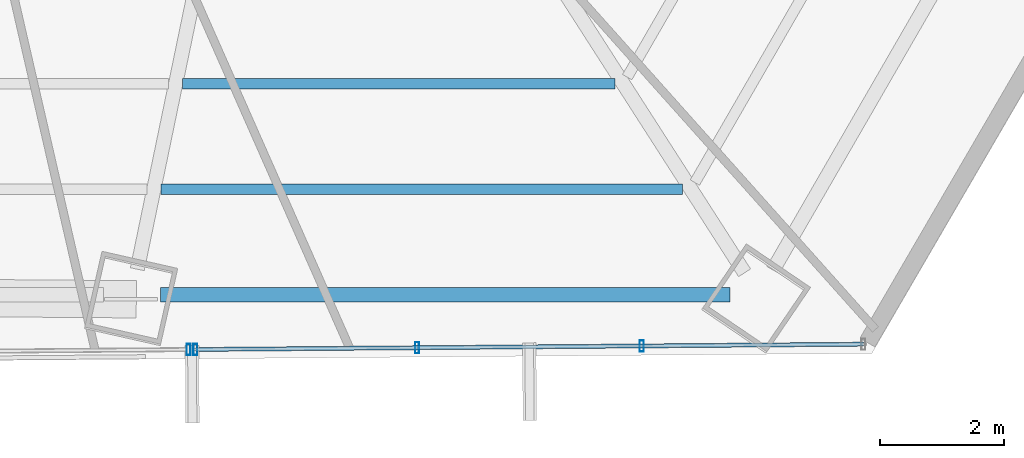
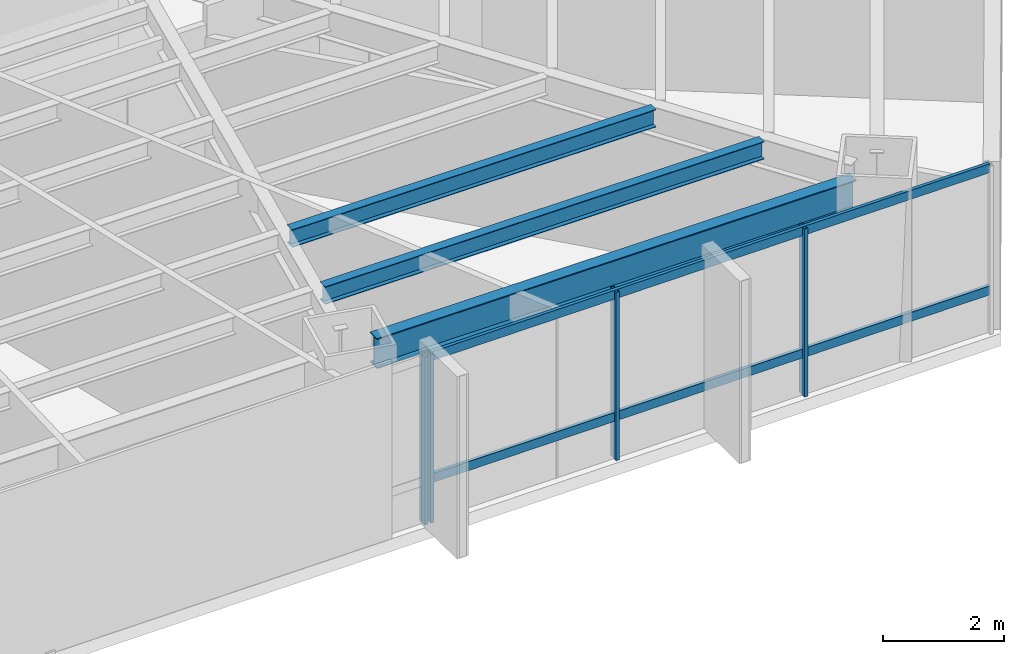
# One storey, part 16 of 36: 6 members, 3 beams, 2 elements without a shape of their own.
"""IFC4 building model written with IfcOpenShell, lengths in metres."""

from ifc_helpers import new_model, si_unit, direction, frame, origin, origin_2d, place, context, subcontext, project, spatial, hollow_rectangle, i_section, extrude, source, transform, mapped, material, material_profile, profile_set, type_object, type_shapes, element, aggregate, save


model = new_model("IFC4")

# Units and contexts
model_context = context("Model", 3, precision=1e-05, world=origin(), true_north=direction((0.0, 1.0)))
body_context = subcontext(model_context, "Body", "Model", "MODEL_VIEW")
ifc_project = project(units=[si_unit("LENGTHUNIT", "METRE"), si_unit("AREAUNIT", "SQUARE_METRE"), si_unit("VOLUMEUNIT", "CUBIC_METRE"), si_unit("PLANEANGLEUNIT", "RADIAN"), si_unit("MASSUNIT", "GRAM", prefix="KILO")], contexts=[model_context])

# Site, building, storey
site_placement = place(None, origin())
site = spatial("IfcSite", under=ifc_project, at=site_placement, CompositionType="ELEMENT")
building_placement = place(site_placement, origin())
building = spatial("IfcBuilding", under=site, at=building_placement, Name="Caelisora Broadcast Tower", CompositionType="ELEMENT")
storey_placement = place(building_placement, frame((0.0, 0.0, 60.449951171875)))
storey = spatial("IfcBuildingStorey", under=building, at=storey_placement, Name="L15", CompositionType="ELEMENT", Elevation=60.449951171875)

# Beams
ifc_material_1 = material(Name="Steel Grade 350 (AS/NZS 3679.1)", Category="steel")
ifc_material_profile_1 = material_profile(ifc_material_1, i_section(OverallWidth=0.22900390625, OverallDepth=0.611572265625, WebThickness=0.011962890625, FlangeThickness=0.01953125, at=origin_2d()), Name="Steel Grade 350 (AS/NZS 3679.1)")
ifc_profile_set_1 = profile_set([ifc_material_profile_1], Name="Steel Grade 350 (AS/NZS 3679.1)")
beam_type_1 = type_object("IfcBeamType", Name="PG03", PredefinedType="BEAM", material=ifc_profile_set_1)
shared_shape_1 = source(origin(), body_context, "Body", "SweptSolid", [
    extrude(i_section(OverallWidth=0.22900390625, OverallDepth=0.611572265625, WebThickness=0.011962890625, FlangeThickness=0.01953125, at=origin_2d()), origin(), (0.0, 0.0, 1.0), 9.16259765625),
])
type_shapes(beam_type_1, [shared_shape_1])
beam_1_placement = place(storey_placement, frame((43.501220703125, 5.52294921875, 3.09423828125), z_axis=(1.0, 0.0, 0.0), x_axis=(0.0, 1.0, 0.0)))
element("IfcBeam", 1, at=beam_1_placement, inside=storey, type_object=beam_type_1, Name="L15 beam PG03", PredefinedType="BEAM", context=body_context, shape_type="MappedRepresentation", body=[
    mapped(shared_shape_1, transform((0.0, 0.0, 0.0), scale=1.0)),
])
ifc_material_profile_2 = material_profile(ifc_material_1, i_section(OverallWidth=0.172119140625, OverallDepth=0.358642578125, WebThickness=0.008056640625, FlangeThickness=0.012939453125, at=origin_2d()), Name="Steel Grade 350 (AS/NZS 3679.1)")
ifc_profile_set_2 = profile_set([ifc_material_profile_2], Name="Steel Grade 350 (AS/NZS 3679.1)")
beam_type_2 = type_object("IfcBeamType", Name="SB02", PredefinedType="JOIST", material=ifc_profile_set_2)
shared_shape_2 = source(origin(), body_context, "Body", "SweptSolid", [
    extrude(i_section(OverallWidth=0.172119140625, OverallDepth=0.358642578125, WebThickness=0.008056640625, FlangeThickness=0.012939453125, at=origin_2d()), origin(), (0.0, 0.0, 1.0), 6.955810546875),
])
beam_2_placement = place(storey_placement, frame((43.857177734375, 8.91650390625, 3.220703125), z_axis=(1.0, 0.0, 0.0), x_axis=(0.0, 1.0, 0.0)))
element("IfcBeam", 2, at=beam_2_placement, inside=storey, type_object=beam_type_2, Name="L15 beam SB02", PredefinedType="JOIST", context=body_context, shape_type="MappedRepresentation", body=[
    mapped(shared_shape_2, transform((0.0, 0.0, 0.0), scale=1.0)),
])
shared_shape_3 = source(origin(), body_context, "Body", "SweptSolid", [
    extrude(i_section(OverallWidth=0.172119140625, OverallDepth=0.358642578125, WebThickness=0.008056640625, FlangeThickness=0.012939453125, at=origin_2d()), origin(), (0.0, 0.0, 1.0), 8.396484375),
])
type_shapes(beam_type_2, [shared_shape_2, shared_shape_3])
beam_3_placement = place(storey_placement, frame((43.505859375, 7.2197265625, 3.220703125), z_axis=(1.0, 0.0, 0.0), x_axis=(0.0, 1.0, 0.0)))
element("IfcBeam", 3, at=beam_3_placement, inside=storey, type_object=beam_type_2, Name="L15 beam SB02", PredefinedType="JOIST", context=body_context, shape_type="MappedRepresentation", body=[
    mapped(shared_shape_3, transform((0.0, 0.0, 0.0), scale=1.0)),
])

# Curtain wall, members
ifc_material_2 = material(Name="Unitised Aluminium and Low-E Glass Curtain Wall", Category="glass")
curtain_wall_type_1 = type_object("IfcCurtainWallType", Name="CW-Z1", PredefinedType="NOTDEFINED", material=ifc_material_2)
curtain_wall_1_placement = place(storey_placement, origin())
curtain_wall_1 = element("IfcCurtainWall", 4, at=curtain_wall_1_placement, inside=storey, type_object=curtain_wall_type_1, Name="L15 curtain wall CW-Z1", PredefinedType="NOTDEFINED")
ifc_material_3 = material(Name="Aluminium 6063-T6 Anodised Terracotta Bronze", Category="aluminium")
ifc_material_profile_3 = material_profile(ifc_material_3, hollow_rectangle(XDim=0.06494140625, YDim=0.179931640625, WallThickness=0.00341796875, at=origin_2d()), Name="Aluminium 6063-T6 Anodised Terracotta Bronze")
ifc_profile_set_3 = profile_set([ifc_material_profile_3], Name="Aluminium 6063-T6 Anodised Terracotta Bronze")
member_type_1 = type_object("IfcMemberType", Name="CWM-02", PredefinedType="MULLION", material=ifc_profile_set_3)
shared_shape_4 = source(origin(), body_context, "Body", "SweptSolid", [
    extrude(hollow_rectangle(XDim=0.06494140625, YDim=0.179931640625, WallThickness=0.00341796875, at=origin_2d()), origin(), (0.0, 0.0, 1.0), 3.400146484375),
])
type_shapes(member_type_1, [shared_shape_4])
member_1_placement = place(storey_placement, frame((51.2431640625, 4.69921875, 0.0), z_axis=(0.0, 0.0, 1.0), x_axis=(1.0, 0.0, 0.0)))
member_1 = element("IfcMember", 5, at=member_1_placement, type_object=member_type_1, Name="L15-CW-B05 mullion #1", PredefinedType="MULLION", context=body_context, shape_type="MappedRepresentation", body=[
    mapped(shared_shape_4, transform((0.0, 0.0, 0.0), scale=1.0)),
])
member_2_placement = place(storey_placement, frame((47.627197265625, 4.67041015625, 0.0), z_axis=(0.0, 0.0, 1.0), x_axis=(1.0, 0.0, 0.0)))
member_2 = element("IfcMember", 6, at=member_2_placement, type_object=member_type_1, Name="L15-CW-B05 mullion #2", PredefinedType="MULLION", context=body_context, shape_type="MappedRepresentation", body=[
    mapped(shared_shape_4, transform((0.0, 0.0, 0.0), scale=1.0)),
])
member_3_placement = place(storey_placement, frame((44.061279296875, 4.64208984375, 0.0), z_axis=(0.0, 0.0, 1.0), x_axis=(1.0, 0.0, 0.0)))
member_3 = element("IfcMember", 7, at=member_3_placement, type_object=member_type_1, Name="L15-CW-B05 mullion #3", PredefinedType="MULLION", context=body_context, shape_type="MappedRepresentation", body=[
    mapped(shared_shape_4, transform((0.0, 0.0, 0.0), scale=1.0)),
])

# Curtain wall, member
ifc_material_4 = material(Name="Unitised Aluminium Insulated Shadow-Box Spandrel Curtain Wall", Category="aluminium")
curtain_wall_type_2 = type_object("IfcCurtainWallType", Name="CW-SP1", PredefinedType="NOTDEFINED", material=ifc_material_4)
curtain_wall_2_placement = place(storey_placement, origin())
curtain_wall_2 = element("IfcCurtainWall", 8, at=curtain_wall_2_placement, inside=storey, type_object=curtain_wall_type_2, Name="L15 curtain wall CW-SP1", PredefinedType="NOTDEFINED")
member_4_placement = place(storey_placement, frame((43.951416015625, 4.641357421875, 0.0), z_axis=(0.0, 0.0, 1.0), x_axis=(1.0, 0.0, 0.0)))
member_4 = element("IfcMember", 9, at=member_4_placement, type_object=member_type_1, Name="L15-CW-B06 mullion #0", PredefinedType="MULLION", context=body_context, shape_type="MappedRepresentation", body=[
    mapped(shared_shape_4, transform((0.0, 0.0, 0.0), scale=1.0)),
])
aggregate(curtain_wall_2, [member_4])

# Member
ifc_material_profile_4 = material_profile(ifc_material_3, hollow_rectangle(XDim=0.06494140625, YDim=0.179931640625, WallThickness=0.00341796875, at=origin_2d()), Name="Aluminium 6063-T6 Anodised Terracotta Bronze")
ifc_profile_set_4 = profile_set([ifc_material_profile_4], Name="Aluminium 6063-T6 Anodised Terracotta Bronze")
member_type_2 = type_object("IfcMemberType", Name="CWT-01", PredefinedType="USERDEFINED", material=ifc_profile_set_4)
shared_shape_5 = source(origin(), body_context, "Body", "SweptSolid", [
    extrude(hollow_rectangle(XDim=0.06494140625, YDim=0.179931640625, WallThickness=0.00341796875, at=origin_2d()), origin(), (0.0, 0.0, 1.0), 10.748046875),
])
type_shapes(member_type_2, [shared_shape_5])
member_5_placement = place(storey_placement, frame((54.80908203125, 4.7275390625, 0.85009765625), z_axis=(-0.999968397151, -0.007950138314, 0.0), x_axis=(0.007950138314, -0.999968397151, 0.0)))
member_5 = element("IfcMember", 10, at=member_5_placement, type_object=member_type_2, Name="L15-CW-B05 transom #1", ObjectType="TRANSOM", PredefinedType="USERDEFINED", context=body_context, shape_type="MappedRepresentation", body=[
    mapped(shared_shape_5, transform((0.0, 0.0, 0.0), scale=1.0)),
])

member_6_placement = place(storey_placement, frame((54.80908203125, 4.7275390625, 3.320068359375), z_axis=(-0.999968397151, -0.007950138314, 0.0), x_axis=(0.007950138314, -0.999968397151, 0.0)))
member_6 = element("IfcMember", 11, at=member_6_placement, type_object=member_type_2, Name="L15-CW-B05 transom #2", ObjectType="TRANSOM", PredefinedType="USERDEFINED", context=body_context, shape_type="MappedRepresentation", body=[
    mapped(shared_shape_5, transform((0.0, 0.0, 0.0), scale=1.0)),
])

aggregate(curtain_wall_1, [member_1, member_2, member_3, member_5, member_6])

save(model, "model.ifc")
